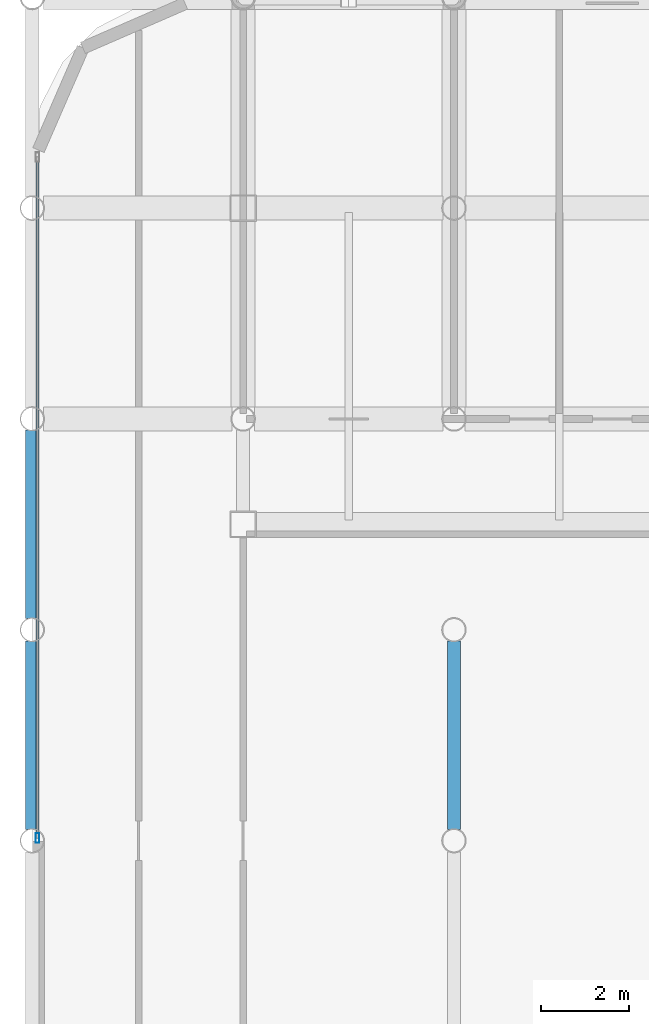
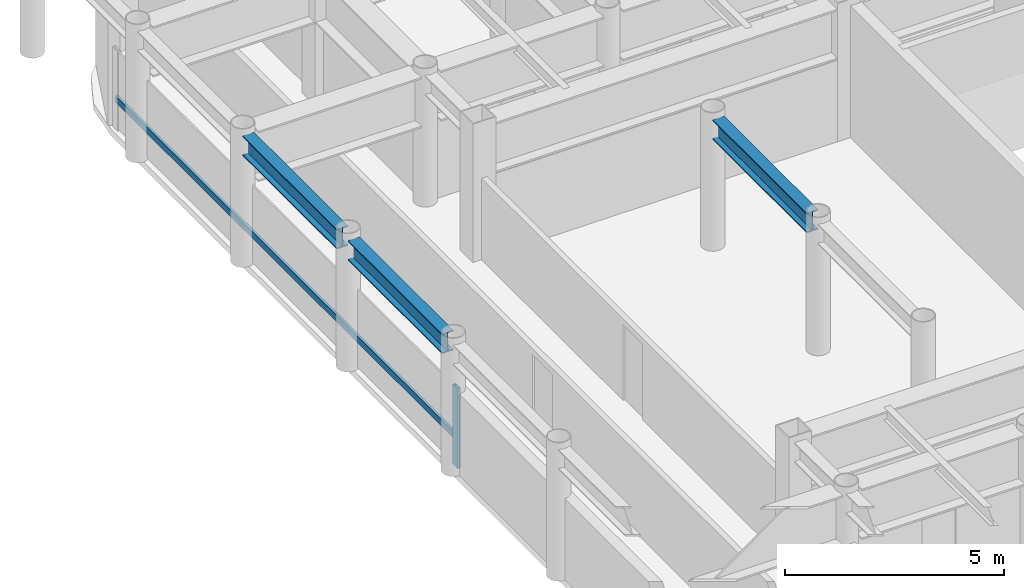
# One storey, part 7 of 24: 3 beams, 2 members, 1 element without a shape of its own.
"""IFC4 building model written with IfcOpenShell, lengths in metres."""

from ifc_helpers import new_model, si_unit, direction, frame, origin, origin_2d, place, context, subcontext, project, spatial, hollow_rectangle, i_section, extrude, material, layer, layer_set, material_profile, profile_set, type_object, element, aggregate, save


model = new_model("IFC4")

# Units and contexts
model_context = context("Model", 3, precision=1e-05, world=origin(), true_north=direction((0.0, 1.0)))
body_context = subcontext(model_context, "Body", "Model", "MODEL_VIEW")
ifc_project = project(units=[si_unit("LENGTHUNIT", "METRE"), si_unit("AREAUNIT", "SQUARE_METRE"), si_unit("VOLUMEUNIT", "CUBIC_METRE"), si_unit("PLANEANGLEUNIT", "RADIAN"), si_unit("MASSUNIT", "GRAM", prefix="KILO")], contexts=[model_context])

# Site, building, storey
site_placement = place(None, origin())
site = spatial("IfcSite", under=ifc_project, at=site_placement, CompositionType="ELEMENT")
building_placement = place(site_placement, origin())
building = spatial("IfcBuilding", under=site, at=building_placement, Name="Kallvorn Hotel Tower", CompositionType="ELEMENT")
storey_placement = place(building_placement, frame((0.0, 0.0, 218.449951171875)))
storey = spatial("IfcBuildingStorey", under=building, at=storey_placement, Name="L54", CompositionType="ELEMENT", Elevation=218.449951171875)

# Beams
ifc_material_1 = material(Name="Structural steel S355JR", Category="steel")
ifc_material_profile_1 = material_profile(ifc_material_1, i_section(OverallWidth=0.300048828125, OverallDepth=0.550048828125, WebThickness=0.014892578125, FlangeThickness=0.029052734375, at=origin_2d()), Name="HE 550 B")
ifc_profile_set_1 = profile_set([ifc_material_profile_1], Name="Structural steel S355JR")
beam_type = type_object("IfcBeamType", Name="BM_HE550B", PredefinedType="SPANDREL", material=ifc_profile_set_1)
for number, where, z_axis, x_axis, name in (
    (1, (-28.800048828125, 0.25439453125, 3.39501953125), (0.0, 1.0, 0.0), (-1.0, 0.0, 0.0), "L55 Primary Y-Girder 90"),
    (2, (-28.800048828125, 5.054443359375, 3.39501953125), (0.0, 1.0, 0.0), (-1.0, 0.0, 0.0), "L55 Primary Y-Girder 91"),
    (3, (-19.199951171875, 0.25439453125, 3.39501953125), (0.0, 1.0, 0.0), (-1.0, 0.0, 0.0), "L55 Primary Y-Girder 106"),
):
    element("IfcBeam", number, at=place(storey_placement, frame(where, z_axis=z_axis, x_axis=x_axis)), inside=storey, type_object=beam_type, Name=name, PredefinedType="SPANDREL", context=body_context, shape_type="SweptSolid", body=[
        extrude(i_section(OverallWidth=0.300048828125, OverallDepth=0.550048828125, WebThickness=0.014892578125, FlangeThickness=0.029052734375, at=origin_2d()), origin(), (0.0, 0.0, 1.0), 4.291015625),
    ])

# Curtain wall, members
ifc_material_2 = material(Name="Thermally broken black-anodised aluminium AA 6063-T6", Category="aluminium")
ifc_layer = layer(ifc_material_2, 0.22998046875)
ifc_layer_set = layer_set([ifc_layer], Name="CW_SYS_5_HOTEL_HIGH")
curtain_wall_type = type_object("IfcCurtainWallType", Name="CW_SYS_5_HOTEL_HIGH", PredefinedType="USERDEFINED", material=ifc_layer_set)
curtain_wall_placement = place(storey_placement, origin())
curtain_wall = element("IfcCurtainWall", 4, at=curtain_wall_placement, inside=storey, type_object=curtain_wall_type, Name="L54 Dark-Glass Curtain Wall CW-L54-WN", ObjectType="UNITISED CURTAIN WALL", PredefinedType="USERDEFINED")
ifc_material_3 = material(Name="Thermally broken black-anodised aluminium AA 6063-T6", Category="aluminium")
ifc_material_profile_2 = material_profile(ifc_material_3, hollow_rectangle(XDim=0.080078125, YDim=0.219970703125, WallThickness=0.0048828125, at=origin_2d()), Name="MUL 220x80")
ifc_profile_set_2 = profile_set([ifc_material_profile_2], Name="Thermally broken black-anodised aluminium AA 6063-T6")
member_type_1 = type_object("IfcMemberType", Name="CW_MULLION_220x80", PredefinedType="MULLION", material=ifc_profile_set_2)
member_1_placement = place(storey_placement, frame((-28.679931640625, 0.06005859375, 0.02001953125), z_axis=(0.0, 0.0, 1.0), x_axis=(1.0, 0.0, 0.0)))
member_1 = element("IfcMember", 5, at=member_1_placement, type_object=member_type_1, Name="CW-L54-WN Mullion 00", PredefinedType="MULLION", context=body_context, shape_type="SweptSolid", body=[
    extrude(hollow_rectangle(XDim=0.080078125, YDim=0.219970703125, WallThickness=0.0048828125, at=origin_2d()), origin(), (0.0, 0.0, 1.0), 2.22998046875),
])
ifc_material_4 = material(Name="Thermally broken black-anodised aluminium AA 6063-T6", Category="aluminium")
ifc_material_profile_3 = material_profile(ifc_material_4, hollow_rectangle(XDim=0.070068359375, YDim=0.179931640625, WallThickness=0.00390625, at=origin_2d()), Name="TRN 180x70")
ifc_profile_set_3 = profile_set([ifc_material_profile_3], Name="Thermally broken black-anodised aluminium AA 6063-T6")
member_type_2 = type_object("IfcMemberType", Name="CW_TRANSOM_180x70", PredefinedType="USERDEFINED", material=ifc_profile_set_3)
member_2_placement = place(storey_placement, frame((-28.679931640625, 0.06005859375, 0.85009765625), z_axis=(0.0, 1.0, 0.0), x_axis=(-1.0, 0.0, 0.0)))
member_2 = element("IfcMember", 6, at=member_2_placement, type_object=member_type_2, Name="CW-L54-WN Transom 00M", ObjectType="TRANSOM", PredefinedType="USERDEFINED", context=body_context, shape_type="SweptSolid", body=[
    extrude(hollow_rectangle(XDim=0.070068359375, YDim=0.179931640625, WallThickness=0.00390625, at=origin_2d()), origin(), (0.0, 0.0, 1.0), 15.5),
])
aggregate(curtain_wall, [member_1, member_2])

save(model, "model.ifc")
